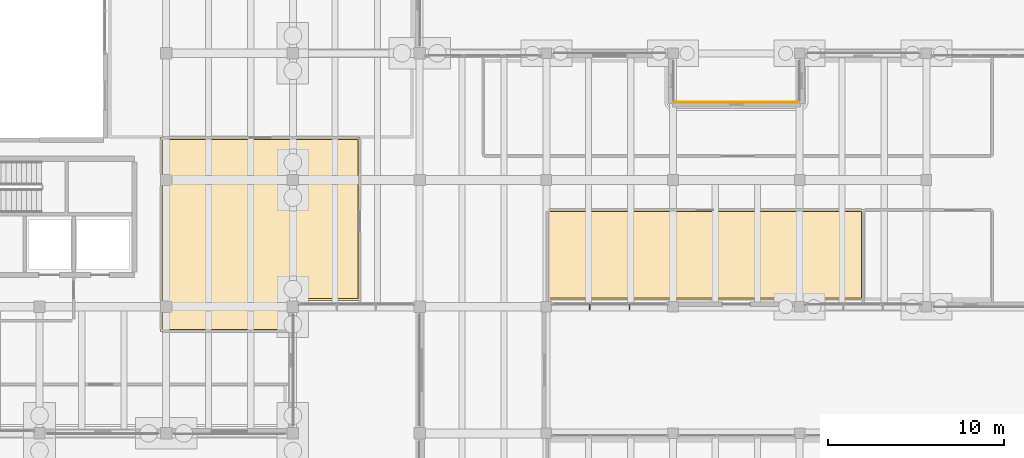
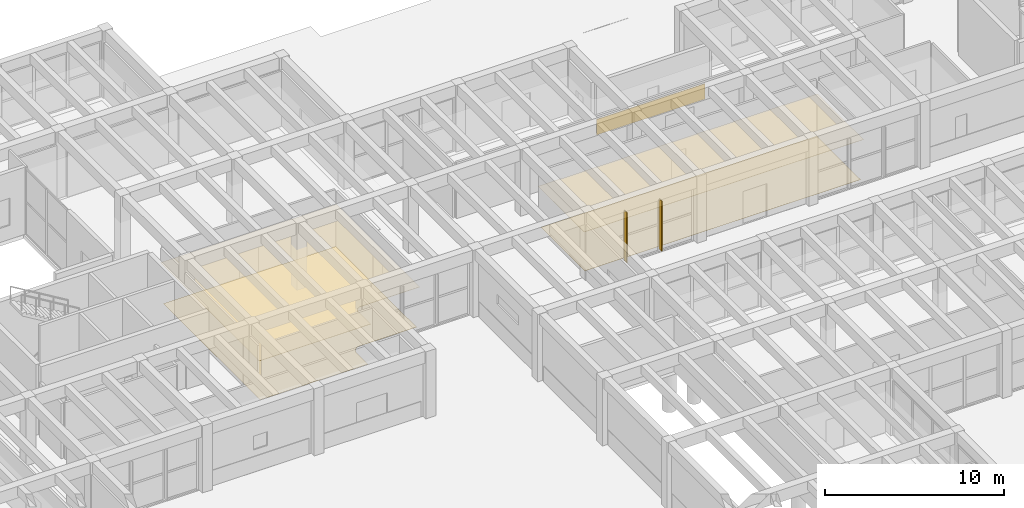
# One storey, part 148 of 155: 5 coverings, 2 shading devices.
"""IFC4 building model written with IfcOpenShell, lengths in metres."""

from ifc_helpers import new_model, si_unit, direction, frame, origin, origin_2d, place, context, subcontext, project, spatial, polyline, rectangle, outline, extrude, material, layer, layer_set, type_object, element, save


model = new_model("IFC4")

# Units and contexts
model_context = context("Model", 3, precision=1e-05, world=origin(), true_north=direction((0.0, 1.0)))
body_context = subcontext(model_context, "Body", "Model", "MODEL_VIEW")
ifc_project = project(units=[si_unit("LENGTHUNIT", "METRE"), si_unit("AREAUNIT", "SQUARE_METRE"), si_unit("VOLUMEUNIT", "CUBIC_METRE"), si_unit("PLANEANGLEUNIT", "RADIAN"), si_unit("MASSUNIT", "GRAM", prefix="KILO")], contexts=[model_context])

# Site, building, storey
site_placement = place(None, origin())
site = spatial("IfcSite", under=ifc_project, at=site_placement, CompositionType="ELEMENT")
building_placement = place(site_placement, origin())
building = spatial("IfcBuilding", under=site, at=building_placement, Name="Bramvelor Terrace Health Centre", CompositionType="ELEMENT")
storey_placement = place(building_placement, origin())
storey = spatial("IfcBuildingStorey", under=building, at=storey_placement, Name="L01", CompositionType="ELEMENT", Elevation=0.0)

# Coverings
ifc_material_1 = material(Name="Honed volcanic tuff rainscreen stone", Category="masonry")
ifc_layer_1 = layer(ifc_material_1, 0.0400390625)
ifc_layer_set_1 = layer_set([ifc_layer_1], Name="Honed volcanic tuff rainscreen stone")
covering_type_1 = type_object("IfcCoveringType", Name="COV-CLAD-TUF", PredefinedType="CLADDING", material=ifc_layer_set_1)
covering_1_placement = place(storey_placement, frame((61.199951171875, 98.014892578125, 0.02490234375), z_axis=(0.0, 0.0, 1.0), x_axis=(1.0, 0.0, 0.0)))
element("IfcCovering", 1, at=covering_1_placement, inside=storey, type_object=covering_type_1, Name="L01 Volcanic Tuff Rainscreen Spandrel 30", PredefinedType="CLADDING", context=body_context, shape_type="SweptSolid", body=[
    extrude(rectangle(XDim=6.97998046875, YDim=0.0400390625, at=origin_2d()), origin(), (0.0, 0.0, 1.0), 1.050048828125),
])
ifc_material_2 = material(Name="Hygienic mineral-fibre acoustic ceiling", Category="gypsum")
ifc_layer_2 = layer(ifc_material_2, 0.02001953125)
ifc_layer_set_2 = layer_set([ifc_layer_2], Name="Hygienic mineral-fibre acoustic ceiling")
covering_type_2 = type_object("IfcCoveringType", Name="COV-CLG-ACT", PredefinedType="CEILING", material=ifc_layer_set_2)
covering_2_placement = place(storey_placement, frame((0.0, 0.0, 2.75)))
element("IfcCovering", 2, at=covering_2_placement, inside=storey, type_object=covering_type_2, Name="L01 Community Midwifery Antenatal Clinic Acoustic Ceiling", PredefinedType="CEILING", context=body_context, shape_type="SweptSolid", body=[
    extrude(outline(polyline([(28.47998046875, 96.0), (28.47998046875, 96.001953125), (28.48046875, 96.00390625), (28.48095703125, 96.005859375), (28.4814453125, 96.0078125), (28.482421875, 96.009521484375), (28.4833984375, 96.010986328125), (28.484619140625, 96.0126953125), (28.48583984375, 96.01416015625), (28.4873046875, 96.015380859375), (28.489013671875, 96.0166015625), (28.490478515625, 96.017578125), (28.4921875, 96.0185546875), (28.494140625, 96.01904296875), (28.49609375, 96.01953125), (28.498046875, 96.02001953125), (28.5, 96.02001953125), (39.7900390625, 96.02001953125), (39.7919921875, 96.02001953125), (39.7939453125, 96.01953125), (39.7958984375, 96.01904296875), (39.797607421875, 96.0185546875), (39.79931640625, 96.017578125), (39.801025390625, 96.0166015625), (39.802734375, 96.015380859375), (39.80419921875, 96.01416015625), (39.805419921875, 96.0126953125), (39.806640625, 96.010986328125), (39.8076171875, 96.009521484375), (39.80859375, 96.0078125), (39.80908203125, 96.005859375), (39.8095703125, 96.00390625), (39.809814453125, 96.001953125), (39.81005859375, 96.0), (39.81005859375, 86.760009765625), (39.809814453125, 86.758056640625), (39.8095703125, 86.756103515625), (39.80908203125, 86.754150390625), (39.80859375, 86.752197265625), (39.8076171875, 86.75048828125), (39.806640625, 86.748779296875), (39.805419921875, 86.747314453125), (39.80419921875, 86.745849609375), (39.802734375, 86.744384765625), (39.801025390625, 86.743408203125), (39.79931640625, 86.742431640625), (39.797607421875, 86.741455078125), (39.7958984375, 86.740966796875), (39.7939453125, 86.740478515625), (39.7919921875, 86.739990234375), (39.7900390625, 86.739990234375), (36.001953125, 86.739990234375), (35.87060546875, 86.7138671875), (35.738037109375, 86.615478515625), (35.66162109375, 86.431396484375), (35.659912109375, 85.001953125), (35.659912109375, 85.0), (35.65966796875, 84.998046875), (35.6591796875, 84.99609375), (35.658447265625, 84.994384765625), (35.65771484375, 84.99267578125), (35.656494140625, 84.990966796875), (35.655517578125, 84.9892578125), (35.654052734375, 84.98779296875), (35.652587890625, 84.986572265625), (35.651123046875, 84.9853515625), (35.6494140625, 84.984375), (35.647705078125, 84.9833984375), (35.645751953125, 84.98291015625), (35.643798828125, 84.982421875), (35.64208984375, 84.982177734375), (35.639892578125, 84.98193359375), (28.5, 84.98193359375), (28.498046875, 84.982177734375), (28.49609375, 84.982421875), (28.494140625, 84.98291015625), (28.4921875, 84.9833984375), (28.490478515625, 84.984375), (28.489013671875, 84.9853515625), (28.4873046875, 84.986572265625), (28.48583984375, 84.98779296875), (28.484619140625, 84.9892578125), (28.4833984375, 84.990966796875), (28.482421875, 84.99267578125), (28.4814453125, 84.994384765625), (28.48095703125, 84.99609375), (28.48046875, 84.998046875), (28.47998046875, 85.0), (28.47998046875, 85.001953125), (28.47998046875, 96.0)])), origin(), (0.0, 0.0, 1.0), 0.02001953125),
])
covering_3_placement = place(storey_placement, frame((0.0, 0.0, 2.75)))
element("IfcCovering", 3, at=covering_3_placement, inside=storey, type_object=covering_type_2, Name="L01 Phlebotomy and Specimen Collection Suite Acoustic Ceiling", PredefinedType="CEILING", context=body_context, shape_type="SweptSolid", body=[
    extrude(outline(polyline([(68.419921875, 86.800048828125), (68.419921875, 86.798095703125), (68.419677734375, 86.796142578125), (68.419189453125, 86.794189453125), (68.41845703125, 86.792236328125), (68.41748046875, 86.79052734375), (68.41650390625, 86.788818359375), (68.41552734375, 86.787353515625), (68.4140625, 86.785888671875), (68.41259765625, 86.784423828125), (68.4111328125, 86.783447265625), (68.409423828125, 86.782470703125), (68.40771484375, 86.781494140625), (68.40576171875, 86.781005859375), (68.40380859375, 86.780517578125), (68.402099609375, 86.780029296875), (68.39990234375, 86.780029296875), (50.451904296875, 86.780029296875), (50.449951171875, 86.780029296875), (50.447998046875, 86.780517578125), (50.4462890625, 86.781005859375), (50.4443359375, 86.781494140625), (50.442626953125, 86.782470703125), (50.44091796875, 86.783447265625), (50.439208984375, 86.784423828125), (50.43798828125, 86.785888671875), (50.4365234375, 86.787353515625), (50.435302734375, 86.788818359375), (50.434326171875, 86.79052734375), (50.43359375, 86.792236328125), (50.432861328125, 86.794189453125), (50.432373046875, 86.796142578125), (50.43212890625, 86.798095703125), (50.431884765625, 86.800048828125), (50.431884765625, 91.89794921875), (50.43212890625, 91.89990234375), (50.432373046875, 91.90185546875), (50.432861328125, 91.90380859375), (50.43359375, 91.90576171875), (50.434326171875, 91.907470703125), (50.435302734375, 91.9091796875), (50.4365234375, 91.91064453125), (50.43798828125, 91.912109375), (50.439208984375, 91.91357421875), (50.44091796875, 91.91455078125), (50.442626953125, 91.91552734375), (50.4443359375, 91.91650390625), (50.4462890625, 91.9169921875), (50.447998046875, 91.91748046875), (50.449951171875, 91.91796875), (50.451904296875, 91.91796875), (68.39990234375, 91.91796875), (68.402099609375, 91.91796875), (68.40380859375, 91.91748046875), (68.40576171875, 91.9169921875), (68.40771484375, 91.91650390625), (68.409423828125, 91.91552734375), (68.4111328125, 91.91455078125), (68.41259765625, 91.91357421875), (68.4140625, 91.912109375), (68.41552734375, 91.91064453125), (68.41650390625, 91.9091796875), (68.41748046875, 91.907470703125), (68.41845703125, 91.90576171875), (68.419189453125, 91.90380859375), (68.419677734375, 91.90185546875), (68.419921875, 91.89990234375), (68.419921875, 91.89794921875), (68.419921875, 86.800048828125)])), origin(), (0.0, 0.0, 1.0), 0.02001953125),
])
ifc_material_3 = material(Name="Seamless antimicrobial clinical vinyl", Category="polymer")
ifc_layer_3 = layer(ifc_material_3, 0.008056640625)
ifc_layer_set_3 = layer_set([ifc_layer_3], Name="Seamless antimicrobial clinical vinyl")
covering_type_3 = type_object("IfcCoveringType", Name="COV-FLR-VNL", PredefinedType="FLOORING", material=ifc_layer_set_3)
covering_4_placement = place(storey_placement, origin())
element("IfcCovering", 4, at=covering_4_placement, inside=storey, type_object=covering_type_3, Name="L01 Community Midwifery Antenatal Clinic Clinical Vinyl Flooring", PredefinedType="FLOORING", context=body_context, shape_type="SweptSolid", body=[
    extrude(outline(polyline([(28.60009765625, 95.89990234375), (39.68994140625, 95.89990234375), (39.68994140625, 86.860107421875), (36.0, 86.860107421875), (35.990234375, 86.859619140625), (35.98046875, 86.858154296875), (35.8427734375, 86.830810546875), (35.833984375, 86.82861328125), (35.82568359375, 86.82568359375), (35.817626953125, 86.822021484375), (35.81005859375, 86.81787109375), (35.802734375, 86.81298828125), (35.662109375, 86.708740234375), (35.65380859375, 86.701904296875), (35.646240234375, 86.694091796875), (35.6396484375, 86.685546875), (35.634033203125, 86.676513671875), (35.62939453125, 86.66650390625), (35.54931640625, 86.4736328125), (35.5458984375, 86.46435546875), (35.543701171875, 86.454833984375), (35.542236328125, 86.4453125), (35.541748046875, 86.435302734375), (35.5400390625, 85.10205078125), (28.60009765625, 85.10205078125), (28.60009765625, 95.89990234375)])), origin(), (0.0, 0.0, 1.0), 0.008056640625),
])
covering_5_placement = place(storey_placement, origin())
element("IfcCovering", 5, at=covering_5_placement, inside=storey, type_object=covering_type_3, Name="L01 Phlebotomy and Specimen Collection Suite Clinical Vinyl Flooring", PredefinedType="FLOORING", context=body_context, shape_type="SweptSolid", body=[
    extrude(outline(polyline([(68.300048828125, 86.89990234375), (50.552001953125, 86.89990234375), (50.552001953125, 91.798095703125), (68.300048828125, 91.798095703125), (68.300048828125, 86.89990234375)])), origin(), (0.0, 0.0, 1.0), 0.008056640625),
])

# Shading devices
ifc_material_4 = material(Name="Anodized aluminium 6063-T6", Category="aluminium")
ifc_layer_4 = layer(ifc_material_4, 0.050048828125)
ifc_layer_set_4 = layer_set([ifc_layer_4], Name="Anodized aluminium 6063-T6")
shading_device_type = type_object("IfcShadingDeviceType", Name="SHD-FIN-300", PredefinedType="JALOUSIE", material=ifc_layer_set_4)
for number, where, z_axis, x_axis, name in (
    (6, (55.123779296875, 86.3798828125, 0.14990234375), (0.0, 0.0, 1.0), (1.0, 0.0, 0.0), "L01 Solar Shading Louvre Fin 25"),
    (7, (52.876220703125, 86.3798828125, 0.14990234375), (0.0, 0.0, 1.0), (1.0, 0.0, 0.0), "L01 Solar Shading Louvre Fin 26"),
):
    element("IfcShadingDevice", number, at=place(storey_placement, frame(where, z_axis=z_axis, x_axis=x_axis)), inside=storey, type_object=shading_device_type, Name=name, PredefinedType="JALOUSIE", context=body_context, shape_type="SweptSolid", body=[
        extrude(rectangle(XDim=0.050048828125, YDim=0.300048828125, at=origin_2d()), origin(), (0.0, 0.0, 1.0), 3.389892578125),
    ])

save(model, "model.ifc")
